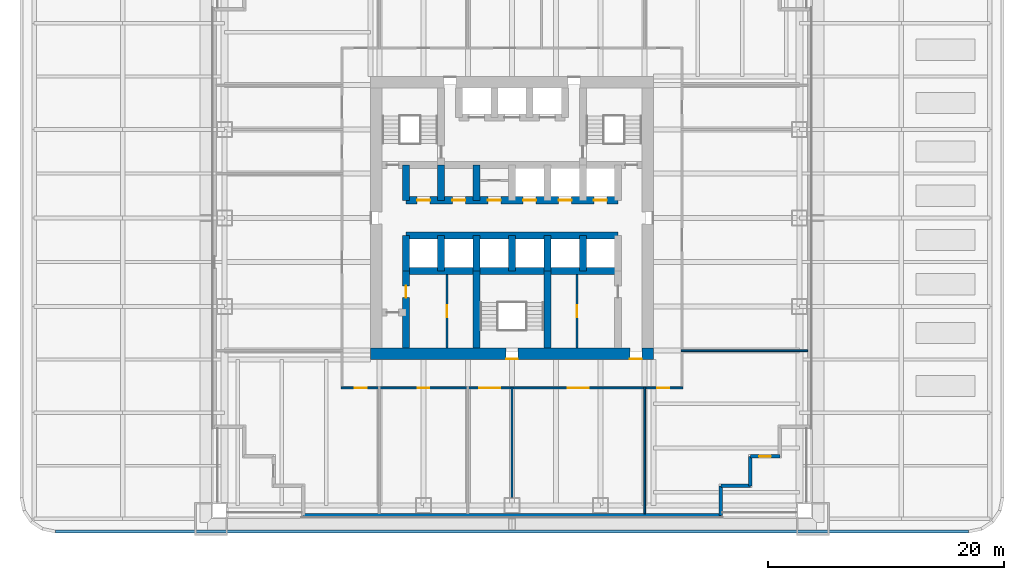
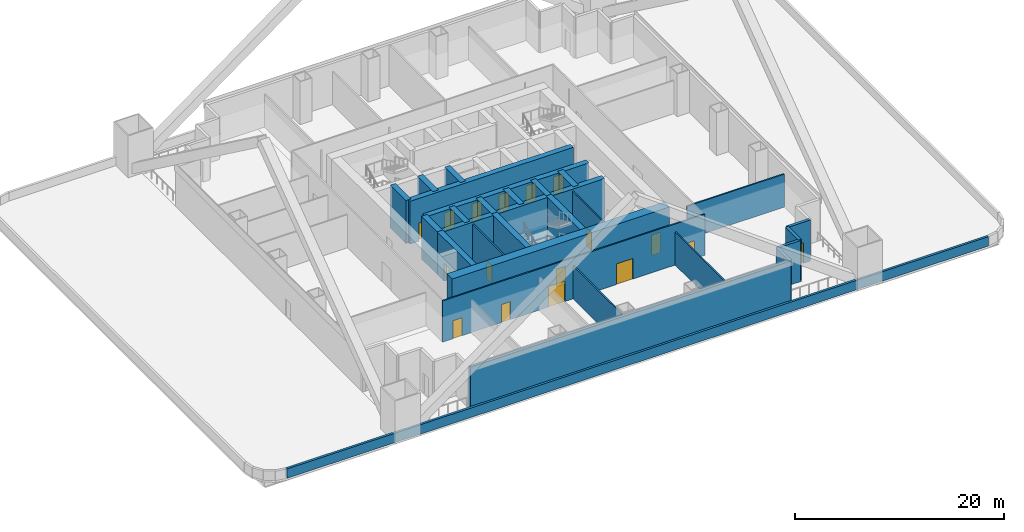
# One storey, part 5 of 10: 28 walls, 17 doors, 17 openings.
"""IFC4 building model written with IfcOpenShell, lengths in metres."""

from ifc_helpers import new_model, si_unit, direction, frame, frame_2d, origin, place, context, subcontext, project, spatial, rectangle, extrude, material, layer, layer_set, type_object, element, fill, save


model = new_model("IFC4")

# Units and contexts
model_context = context("Model", 3, precision=1e-05, world=origin(), true_north=direction((0.0, 1.0)))
body_context = subcontext(model_context, "Body", "Model", "MODEL_VIEW")
ifc_project = project(units=[si_unit("LENGTHUNIT", "METRE"), si_unit("AREAUNIT", "SQUARE_METRE"), si_unit("VOLUMEUNIT", "CUBIC_METRE"), si_unit("PLANEANGLEUNIT", "RADIAN"), si_unit("MASSUNIT", "GRAM", prefix="KILO")], contexts=[model_context])

# Site, building, storey
site_placement = place(None, origin())
site = spatial("IfcSite", under=ifc_project, at=site_placement, CompositionType="ELEMENT")
building_placement = place(site_placement, origin())
building = spatial("IfcBuilding", under=site, at=building_placement, Name="Tarangal Relay Tower", CompositionType="ELEMENT")
storey_placement = place(building_placement, frame((0.0, 0.0, 23.39990234375)))
storey = spatial("IfcBuildingStorey", under=building, at=storey_placement, Name="L04", CompositionType="ELEMENT", Elevation=23.39990234375)

# Wall, openings, doors
ifc_material_1 = material(Name="Concrete fc' 60 MPa", Category="concrete")
ifc_layer_1 = layer(ifc_material_1, 0.60009765625)
ifc_layer_set_1 = layer_set([ifc_layer_1], Name="Core inner wall 600")
wall_type_1 = type_object("IfcWallType", Name="Core inner wall 600", PredefinedType="SHEAR", material=ifc_layer_set_1)
wall_1_placement = place(storey_placement, frame((-9.0, 1.5, 0.0), z_axis=(0.0, 0.0, 1.0), x_axis=(1.0, 0.0, 0.0)))
wall_1 = element("IfcWall", 1, at=wall_1_placement, inside=storey, type_object=wall_type_1, Name="Core wall Y15 L04", PredefinedType="SHEAR", context=body_context, shape_type="SweptSolid", body=[
    extrude(rectangle(XDim=18.0, YDim=0.60009765625, at=frame_2d((9.0, 0.0))), origin(), (0.0, 0.0, 1.0), 5.0),
])
opening_1_placement = place(wall_1_placement, frame((9.949951171875, 0.0, 0.0)))
opening_1 = element("IfcOpeningElement", 2, at=opening_1_placement, cuts=wall_1, Name="Opening LD1", PredefinedType="OPENING", context=body_context, shape_type="SweptSolid", body=[
    extrude(rectangle(XDim=1.10009765625, YDim=2.10009765625, at=frame_2d((0.550048828125, 1.050048828125))), frame((0.0, 0.31005859375, 0.0), z_axis=(0.0, -1.0, 0.0), x_axis=(1.0, 0.0, 0.0)), (0.0, 0.0, 1.0), 0.6201171875),
])
opening_2_placement = place(wall_1_placement, frame((12.949951171875, 0.0, 0.0)))
opening_2 = element("IfcOpeningElement", 3, at=opening_2_placement, cuts=wall_1, Name="Opening LD1", PredefinedType="OPENING", context=body_context, shape_type="SweptSolid", body=[
    extrude(rectangle(XDim=1.10009765625, YDim=2.10009765625, at=frame_2d((0.550048828125, 1.050048828125))), frame((0.0, 0.31005859375, 0.0), z_axis=(0.0, -1.0, 0.0), x_axis=(1.0, 0.0, 0.0)), (0.0, 0.0, 1.0), 0.6201171875),
])
opening_3_placement = place(wall_1_placement, frame((15.949951171875, 0.0, 0.0)))
opening_3 = element("IfcOpeningElement", 4, at=opening_3_placement, cuts=wall_1, Name="Opening LD1", PredefinedType="OPENING", context=body_context, shape_type="SweptSolid", body=[
    extrude(rectangle(XDim=1.10009765625, YDim=2.10009765625, at=frame_2d((0.550048828125, 1.050048828125))), frame((0.0, 0.31005859375, 0.0), z_axis=(0.0, -1.0, 0.0), x_axis=(1.0, 0.0, 0.0)), (0.0, 0.0, 1.0), 0.6201171875),
])
opening_4_placement = place(wall_1_placement, frame((0.949951171875, 0.0, 0.0)))
opening_4 = element("IfcOpeningElement", 5, at=opening_4_placement, cuts=wall_1, Name="Opening D4", PredefinedType="OPENING", context=body_context, shape_type="SweptSolid", body=[
    extrude(rectangle(XDim=1.10009765625, YDim=2.10009765625, at=frame_2d((0.550048828125, 1.050048828125))), frame((0.0, 0.31005859375, 0.0), z_axis=(0.0, -1.0, 0.0), x_axis=(1.0, 0.0, 0.0)), (0.0, 0.0, 1.0), 0.6201171875),
])
opening_5_placement = place(wall_1_placement, frame((3.949951171875, 0.0, 0.0)))
opening_5 = element("IfcOpeningElement", 6, at=opening_5_placement, cuts=wall_1, Name="Opening D4", PredefinedType="OPENING", context=body_context, shape_type="SweptSolid", body=[
    extrude(rectangle(XDim=1.10009765625, YDim=2.10009765625, at=frame_2d((0.550048828125, 1.050048828125))), frame((0.0, 0.31005859375, 0.0), z_axis=(0.0, -1.0, 0.0), x_axis=(1.0, 0.0, 0.0)), (0.0, 0.0, 1.0), 0.6201171875),
])
opening_6_placement = place(wall_1_placement, frame((6.949951171875, 0.0, 0.0)))
opening_6 = element("IfcOpeningElement", 7, at=opening_6_placement, cuts=wall_1, Name="Opening D4", PredefinedType="OPENING", context=body_context, shape_type="SweptSolid", body=[
    extrude(rectangle(XDim=1.10009765625, YDim=2.10009765625, at=frame_2d((0.550048828125, 1.050048828125))), frame((0.0, 0.31005859375, 0.0), z_axis=(0.0, -1.0, 0.0), x_axis=(1.0, 0.0, 0.0)), (0.0, 0.0, 1.0), 0.6201171875),
])
ifc_material_2 = material(Name="Steel door with hardwood frame", Category="steel")
door_type_1 = type_object("IfcDoorType", Name="Core room door 1100 x 2100", OperationType="SINGLE_SWING_RIGHT", PredefinedType="DOOR", material=ifc_material_2)
door_1_placement = place(opening_4_placement, origin())
door_1 = element("IfcDoor", 8, at=door_1_placement, inside=storey, type_object=door_type_1, Name="Door D4 to staff wc L04-D1", OperationType="SINGLE_SWING_RIGHT", OverallHeight=2.10009765625, OverallWidth=1.10009765625, PredefinedType="DOOR", context=body_context, shape_type="SweptSolid", body=[
    extrude(rectangle(XDim=1.10009765625, YDim=2.10009765625, at=frame_2d((0.550048828125, 1.050048828125))), frame((0.0, 0.02490234375, 0.0), z_axis=(0.0, -1.0, 0.0), x_axis=(1.0, 0.0, 0.0)), (0.0, 0.0, 1.0), 0.050048828125),
])
fill(opening_4, door_1)
door_2_placement = place(opening_5_placement, origin())
door_2 = element("IfcDoor", 9, at=door_2_placement, inside=storey, type_object=door_type_1, Name="Door D4 to cleaner's store L04-D2", OperationType="SINGLE_SWING_RIGHT", OverallHeight=2.10009765625, OverallWidth=1.10009765625, PredefinedType="DOOR", context=body_context, shape_type="SweptSolid", body=[
    extrude(rectangle(XDim=1.10009765625, YDim=2.10009765625, at=frame_2d((0.550048828125, 1.050048828125))), frame((0.0, 0.02490234375, 0.0), z_axis=(0.0, -1.0, 0.0), x_axis=(1.0, 0.0, 0.0)), (0.0, 0.0, 1.0), 0.050048828125),
])
fill(opening_5, door_2)
door_3_placement = place(opening_6_placement, origin())
door_3 = element("IfcDoor", 10, at=door_3_placement, inside=storey, type_object=door_type_1, Name="Door D4 to it room L04-D3", OperationType="SINGLE_SWING_RIGHT", OverallHeight=2.10009765625, OverallWidth=1.10009765625, PredefinedType="DOOR", context=body_context, shape_type="SweptSolid", body=[
    extrude(rectangle(XDim=1.10009765625, YDim=2.10009765625, at=frame_2d((0.550048828125, 1.050048828125))), frame((0.0, 0.02490234375, 0.0), z_axis=(0.0, -1.0, 0.0), x_axis=(1.0, 0.0, 0.0)), (0.0, 0.0, 1.0), 0.050048828125),
])
fill(opening_6, door_3)
door_type_2 = type_object("IfcDoorType", Name="Lift landing door 1100 x 2100", OperationType="SLIDING_TO_LEFT", PredefinedType="DOOR", material=ifc_material_2)
door_4_placement = place(opening_1_placement, origin())
door_4 = element("IfcDoor", 11, at=door_4_placement, inside=storey, type_object=door_type_2, Name="Lift T1 landing door L04", OperationType="SLIDING_TO_LEFT", OverallHeight=2.10009765625, OverallWidth=1.10009765625, PredefinedType="DOOR", context=body_context, shape_type="SweptSolid", body=[
    extrude(rectangle(XDim=1.10009765625, YDim=2.10009765625, at=frame_2d((0.550048828125, 1.050048828125))), frame((0.0, 0.02490234375, 0.0), z_axis=(0.0, -1.0, 0.0), x_axis=(1.0, 0.0, 0.0)), (0.0, 0.0, 1.0), 0.050048828125),
])
fill(opening_1, door_4)
door_5_placement = place(opening_2_placement, origin())
door_5 = element("IfcDoor", 12, at=door_5_placement, inside=storey, type_object=door_type_2, Name="Lift T2 landing door L04", OperationType="SLIDING_TO_LEFT", OverallHeight=2.10009765625, OverallWidth=1.10009765625, PredefinedType="DOOR", context=body_context, shape_type="SweptSolid", body=[
    extrude(rectangle(XDim=1.10009765625, YDim=2.10009765625, at=frame_2d((0.550048828125, 1.050048828125))), frame((0.0, 0.02490234375, 0.0), z_axis=(0.0, -1.0, 0.0), x_axis=(1.0, 0.0, 0.0)), (0.0, 0.0, 1.0), 0.050048828125),
])
fill(opening_2, door_5)
door_6_placement = place(opening_3_placement, origin())
door_6 = element("IfcDoor", 13, at=door_6_placement, inside=storey, type_object=door_type_2, Name="Lift T3 landing door L04", OperationType="SLIDING_TO_LEFT", OverallHeight=2.10009765625, OverallWidth=1.10009765625, PredefinedType="DOOR", context=body_context, shape_type="SweptSolid", body=[
    extrude(rectangle(XDim=1.10009765625, YDim=2.10009765625, at=frame_2d((0.550048828125, 1.050048828125))), frame((0.0, 0.02490234375, 0.0), z_axis=(0.0, -1.0, 0.0), x_axis=(1.0, 0.0, 0.0)), (0.0, 0.0, 1.0), 0.050048828125),
])
fill(opening_3, door_6)

# Walls
for number, where, z_axis, x_axis, name in (
    (14, (-9.0, -1.5, 0.0), (0.0, 0.0, 1.0), (1.0, 0.0, 0.0), "Core wall YM15 L04"),
    (15, (-9.0, -4.5, 0.0), (0.0, 0.0, 1.0), (1.0, 0.0, 0.0), "Core wall YM45 L04"),
):
    element("IfcWall", number, at=place(storey_placement, frame(where, z_axis=z_axis, x_axis=x_axis)), inside=storey, type_object=wall_type_1, Name=name, PredefinedType="SHEAR", context=body_context, shape_type="SweptSolid", body=[
        extrude(rectangle(XDim=18.0, YDim=0.60009765625, at=frame_2d((9.0, 0.0))), origin(), (0.0, 0.0, 1.0), 5.0),
    ])
for number, where, z_axis, x_axis, name in (
    (16, (-9.0, 1.5, 0.0), (0.0, 0.0, 1.0), (0.0, 1.0, 0.0), "Core wall XM9N L04"),
    (17, (-9.0, -4.5, 0.0), (0.0, 0.0, 1.0), (0.0, 1.0, 0.0), "Core wall XM9S L04"),
    (18, (-6.0, 1.5, 0.0), (0.0, 0.0, 1.0), (0.0, 1.0, 0.0), "Core wall XM6N L04"),
    (19, (-3.0, 1.5, 0.0), (0.0, 0.0, 1.0), (0.0, 1.0, 0.0), "Core wall XM3N L04"),
    (20, (-6.0, -4.5, 0.0), (0.0, 0.0, 1.0), (0.0, 1.0, 0.0), "Core wall XM6S L04"),
    (21, (-3.0, -4.5, 0.0), (0.0, 0.0, 1.0), (0.0, 1.0, 0.0), "Core wall XM3S L04"),
    (22, (0.0, -4.5, 0.0), (0.0, 0.0, 1.0), (0.0, 1.0, 0.0), "Core wall X0S L04"),
    (23, (3.0, -4.5, 0.0), (0.0, 0.0, 1.0), (0.0, 1.0, 0.0), "Core wall X3S L04"),
    (24, (6.0, -4.5, 0.0), (0.0, 0.0, 1.0), (0.0, 1.0, 0.0), "Core wall X6S L04"),
):
    element("IfcWall", number, at=place(storey_placement, frame(where, z_axis=z_axis, x_axis=x_axis)), inside=storey, type_object=wall_type_1, Name=name, PredefinedType="SHEAR", context=body_context, shape_type="SweptSolid", body=[
        extrude(rectangle(XDim=3.0, YDim=0.60009765625, at=frame_2d((1.5, 0.0))), origin(), (0.0, 0.0, 1.0), 5.0),
    ])

# Wall, opening, door
wall_2_placement = place(storey_placement, frame((-9.0, -11.0, 0.0), z_axis=(0.0, 0.0, 1.0), x_axis=(0.0, 1.0, 0.0)))
wall_2 = element("IfcWall", 25, at=wall_2_placement, inside=storey, type_object=wall_type_1, Name="Core wall XM9W L04", PredefinedType="SHEAR", context=body_context, shape_type="SweptSolid", body=[
    extrude(rectangle(XDim=6.5, YDim=0.60009765625, at=frame_2d((3.25, 0.0))), origin(), (0.0, 0.0, 1.0), 5.0),
])
opening_7_placement = place(wall_2_placement, frame((4.25, 0.0, 0.0)))
opening_7 = element("IfcOpeningElement", 26, at=opening_7_placement, cuts=wall_2, Name="Opening D1", PredefinedType="OPENING", context=body_context, shape_type="SweptSolid", body=[
    extrude(rectangle(XDim=1.0, YDim=2.10009765625, at=frame_2d((0.5, 1.050048828125))), frame((0.0, 0.31005859375, 0.0), z_axis=(0.0, -1.0, 0.0), x_axis=(1.0, 0.0, 0.0)), (0.0, 0.0, 1.0), 0.6201171875),
])
ifc_material_3 = material(Name="Hardwood door", Category="wood")
door_type_3 = type_object("IfcDoorType", Name="WC door 1000 x 2100", OperationType="SINGLE_SWING_LEFT", PredefinedType="DOOR", material=ifc_material_3)
door_7_placement = place(opening_7_placement, origin())
door_7 = element("IfcDoor", 27, at=door_7_placement, inside=storey, type_object=door_type_3, Name="Male WC door L04", OperationType="SINGLE_SWING_LEFT", OverallHeight=2.10009765625, OverallWidth=1.0, PredefinedType="DOOR", context=body_context, shape_type="SweptSolid", body=[
    extrude(rectangle(XDim=1.0, YDim=2.10009765625, at=frame_2d((0.5, 1.050048828125))), frame((0.0, 0.02490234375, 0.0), z_axis=(0.0, -1.0, 0.0), x_axis=(1.0, 0.0, 0.0)), (0.0, 0.0, 1.0), 0.050048828125),
])
fill(opening_7, door_7)

# Walls
for number, where, z_axis, x_axis, name in (
    (28, (-3.0, -11.0, 0.0), (0.0, 0.0, 1.0), (0.0, 1.0, 0.0), "Core wall XM3W L04"),
    (29, (3.0, -11.0, 0.0), (0.0, 0.0, 1.0), (0.0, 1.0, 0.0), "Core wall X3W L04"),
):
    element("IfcWall", number, at=place(storey_placement, frame(where, z_axis=z_axis, x_axis=x_axis)), inside=storey, type_object=wall_type_1, Name=name, PredefinedType="SHEAR", context=body_context, shape_type="SweptSolid", body=[
        extrude(rectangle(XDim=6.5, YDim=0.60009765625, at=frame_2d((3.25, 0.0))), origin(), (0.0, 0.0, 1.0), 5.0),
    ])

# Wall, openings, doors
ifc_layer_2 = layer(ifc_material_1, 1.0)
ifc_layer_set_2 = layer_set([ifc_layer_2], Name="Core wall 1000")
wall_type_2 = type_object("IfcWallType", Name="Core wall 1000", PredefinedType="SHEAR", material=ifc_layer_set_2)
wall_3_placement = place(storey_placement, frame((12.0, -11.5, 0.0), z_axis=(0.0, 0.0, 1.0), x_axis=(-1.0, 0.0, 0.0)))
wall_3 = element("IfcWall", 30, at=wall_3_placement, inside=storey, type_object=wall_type_2, Name="Core wall S L04", PredefinedType="SHEAR", context=body_context, shape_type="SweptSolid", body=[
    extrude(rectangle(XDim=24.0, YDim=1.0, at=frame_2d((12.0, 0.0))), origin(), (0.0, 0.0, 1.0), 5.0),
])
opening_8_placement = place(wall_3_placement, frame((11.5, 0.0, 0.0)))
opening_8 = element("IfcOpeningElement", 31, at=opening_8_placement, cuts=wall_3, Name="Opening FD1", PredefinedType="OPENING", context=body_context, shape_type="SweptSolid", body=[
    extrude(rectangle(XDim=1.0, YDim=2.10009765625, at=frame_2d((0.5, 1.050048828125))), frame((0.0, 0.510009765625, 0.0), z_axis=(0.0, -1.0, 0.0), x_axis=(1.0, 0.0, 0.0)), (0.0, 0.0, 1.0), 1.02001953125),
])
opening_9_placement = place(wall_3_placement, frame((1.0, 0.0, 0.0)))
opening_9 = element("IfcOpeningElement", 32, at=opening_9_placement, cuts=wall_3, Name="Opening FD3", PredefinedType="OPENING", context=body_context, shape_type="SweptSolid", body=[
    extrude(rectangle(XDim=1.0, YDim=2.39990234375, at=frame_2d((0.5, 1.199951171875))), frame((0.0, 0.510009765625, 0.0), z_axis=(0.0, -1.0, 0.0), x_axis=(1.0, 0.0, 0.0)), (0.0, 0.0, 1.0), 1.02001953125),
])
door_type_4 = type_object("IfcDoorType", Name="Fire door 1000 x 2100", OperationType="SINGLE_SWING_LEFT", PredefinedType="DOOR", material=ifc_material_2)
door_8_placement = place(opening_8_placement, origin())
door_8 = element("IfcDoor", 33, at=door_8_placement, inside=storey, type_object=door_type_4, Name="Stair ST-C door L04", OperationType="SINGLE_SWING_LEFT", OverallHeight=2.10009765625, OverallWidth=1.0, PredefinedType="DOOR", context=body_context, shape_type="SweptSolid", body=[
    extrude(rectangle(XDim=1.0, YDim=2.10009765625, at=frame_2d((0.5, 1.050048828125))), frame((0.0, 0.48486328125, 0.0), z_axis=(0.0, -1.0, 0.0), x_axis=(1.0, 0.0, 0.0)), (0.0, 0.0, 1.0), 0.050048828125),
])
fill(opening_8, door_8)
door_type_5 = type_object("IfcDoorType", Name="Fire door 1000 x 2400 core entry", OperationType="SINGLE_SWING_RIGHT", PredefinedType="DOOR", material=ifc_material_2)
door_9_placement = place(opening_9_placement, origin())
door_9 = element("IfcDoor", 34, at=door_9_placement, inside=storey, type_object=door_type_5, Name="Core entry door south east L04", OperationType="SINGLE_SWING_RIGHT", OverallHeight=2.39990234375, OverallWidth=1.0, PredefinedType="DOOR", context=body_context, shape_type="SweptSolid", body=[
    extrude(rectangle(XDim=1.0, YDim=2.39990234375, at=frame_2d((0.5, 1.199951171875))), frame((0.0, 0.48486328125, 0.0), z_axis=(0.0, -1.0, 0.0), x_axis=(1.0, 0.0, 0.0)), (0.0, 0.0, 1.0), 0.050048828125),
])
fill(opening_9, door_9)

# Wall, opening, door
ifc_material_4 = material(Name="Insulated precast concrete fc' 40 MPa", Category="concrete")
ifc_layer_3 = layer(ifc_material_4, 0.300048828125)
ifc_layer_set_3 = layer_set([ifc_layer_3], Name="Insulated precast concrete fc' 40 MPa")
wall_type_3 = type_object("IfcWallType", Name="Facade wall precast 300", PredefinedType="SOLIDWALL", material=ifc_layer_set_3)
wall_4_placement = place(storey_placement, frame((22.699951171875, -20.199951171875, 0.0), z_axis=(0.0, 0.0, 1.0), x_axis=(-1.0, 0.0, 0.0)))
wall_4 = element("IfcWall", 35, at=wall_4_placement, inside=storey, type_object=wall_type_3, Name="Facade wall E facade L04", PredefinedType="SOLIDWALL", context=body_context, shape_type="SweptSolid", body=[
    extrude(rectangle(XDim=2.5, YDim=0.300048828125, at=frame_2d((1.25, 0.0))), origin(), (0.0, 0.0, 1.0), 4.800048828125),
])
opening_10_placement = place(wall_4_placement, frame((0.75, 0.0, 0.0)))
opening_10 = element("IfcOpeningElement", 36, at=opening_10_placement, cuts=wall_4, Name="Opening TD1", PredefinedType="OPENING", context=body_context, shape_type="SweptSolid", body=[
    extrude(rectangle(XDim=1.0, YDim=2.39990234375, at=frame_2d((0.5, 1.199951171875))), frame((0.0, 0.159912109375, 0.0), z_axis=(0.0, -1.0, 0.0), x_axis=(1.0, 0.0, 0.0)), (0.0, 0.0, 1.0), 0.320068359375),
])
ifc_material_5 = material(Name="Aluminium glazed door", Category="aluminium")
door_type_6 = type_object("IfcDoorType", Name="Terrace door 1000 x 2400", OperationType="SINGLE_SWING_RIGHT", PredefinedType="DOOR", material=ifc_material_5)
door_10_placement = place(opening_10_placement, origin())
door_10 = element("IfcDoor", 37, at=door_10_placement, inside=storey, type_object=door_type_6, Name="Terrace door TD1 SE L04", OperationType="SINGLE_SWING_RIGHT", OverallHeight=2.39990234375, OverallWidth=1.0, PredefinedType="DOOR", context=body_context, shape_type="SweptSolid", body=[
    extrude(rectangle(XDim=1.0, YDim=2.39990234375, at=frame_2d((0.5, 1.199951171875))), frame((0.0, 0.02490234375, 0.0), z_axis=(0.0, -1.0, 0.0), x_axis=(1.0, 0.0, 0.0)), (0.0, 0.0, 1.0), 0.050048828125),
])
fill(opening_10, door_10)

# Walls
for number, where, z_axis, x_axis, name in (
    (38, (20.199951171875, -20.199951171875, 0.0), (0.0, 0.0, 1.0), (0.0, -1.0, 0.0), "Facade wall E facade L04"),
    (39, (20.199951171875, -22.699951171875, 0.0), (0.0, 0.0, 1.0), (-1.0, 0.0, 0.0), "Facade wall E facade L04"),
    (40, (17.699951171875, -22.699951171875, 0.0), (0.0, 0.0, 1.0), (0.0, -1.0, 0.0), "Facade wall E facade L04"),
):
    element("IfcWall", number, at=place(storey_placement, frame(where, z_axis=z_axis, x_axis=x_axis)), inside=storey, type_object=wall_type_3, Name=name, PredefinedType="SOLIDWALL", context=body_context, shape_type="SweptSolid", body=[
        extrude(rectangle(XDim=2.5, YDim=0.300048828125, at=frame_2d((1.25, 0.0))), origin(), (0.0, 0.0, 1.0), 4.800048828125),
    ])
wall_5_placement = place(storey_placement, frame((17.699951171875, -25.199951171875, 0.0), z_axis=(0.0, 0.0, 1.0), x_axis=(-1.0, 0.0, 0.0)))
element("IfcWall", 41, at=wall_5_placement, inside=storey, type_object=wall_type_3, Name="Facade wall S facade L04", PredefinedType="SOLIDWALL", context=body_context, shape_type="SweptSolid", body=[
    extrude(rectangle(XDim=35.39990234375, YDim=0.300048828125, at=frame_2d((17.699951171875, 0.0))), origin(), (0.0, 0.0, 1.0), 4.800048828125),
])
ifc_material_6 = material(Name="Concrete parapet with metal coping", Category="concrete")
ifc_layer_4 = layer(ifc_material_6, 0.25)
ifc_layer_set_4 = layer_set([ifc_layer_4], Name="Parapet 250")
wall_type_4 = type_object("IfcWallType", Name="Parapet 250", PredefinedType="PARAPET", material=ifc_layer_set_4)
wall_6_placement = place(storey_placement, frame((-38.699951171875, -26.574951171875, 0.0), z_axis=(0.0, 0.0, 1.0), x_axis=(1.0, 0.0, 0.0)))
element("IfcWall", 42, at=wall_6_placement, inside=storey, type_object=wall_type_4, Name="Podium roof parapet PP1", PredefinedType="PARAPET", context=body_context, shape_type="SweptSolid", body=[
    extrude(rectangle(XDim=77.39990234375, YDim=0.25, at=frame_2d((38.699951171875, 0.0))), origin(), (0.0, 0.0, 1.0), 1.10009765625),
])

# Wall, openings, doors
ifc_material_7 = material(Name="Gypsum board on steel studs", Category="steel")
ifc_layer_5 = layer(ifc_material_7, 0.14990234375)
ifc_layer_set_5 = layer_set([ifc_layer_5], Name="Partition 150")
wall_type_5 = type_object("IfcWallType", Name="Partition 150", PredefinedType="PARTITIONING", material=ifc_layer_set_5)
wall_7_placement = place(storey_placement, frame((-14.47509765625, -14.39990234375, 0.0), z_axis=(0.0, 0.0, 1.0), x_axis=(1.0, 0.0, 0.0)))
wall_7 = element("IfcWall", 43, at=wall_7_placement, inside=storey, type_object=wall_type_5, Name="Partition PT1 L04", PredefinedType="PARTITIONING", context=body_context, shape_type="SweptSolid", body=[
    extrude(rectangle(XDim=28.9501953125, YDim=0.14990234375, at=frame_2d((14.47509765625, 0.0))), origin(), (0.0, 0.0, 1.0), 4.800048828125),
])
opening_11_placement = place(wall_7_placement, frame((19.199951171875, 0.0, 0.0)))
opening_11 = element("IfcOpeningElement", 44, at=opening_11_placement, cuts=wall_7, Name="Opening DD1", PredefinedType="OPENING", context=body_context, shape_type="SweptSolid", body=[
    extrude(rectangle(XDim=1.800048828125, YDim=2.39990234375, at=frame_2d((0.89990234375, 1.199951171875))), frame((0.0, 0.0849609375, 0.0), z_axis=(0.0, -1.0, 0.0), x_axis=(1.0, 0.0, 0.0)), (0.0, 0.0, 1.0), 0.169921875),
])
opening_12_placement = place(wall_7_placement, frame((11.699951171875, 0.0, 0.0)))
opening_12 = element("IfcOpeningElement", 45, at=opening_12_placement, cuts=wall_7, Name="Opening DD1", PredefinedType="OPENING", context=body_context, shape_type="SweptSolid", body=[
    extrude(rectangle(XDim=1.800048828125, YDim=2.39990234375, at=frame_2d((0.89990234375, 1.199951171875))), frame((0.0, 0.0849609375, 0.0), z_axis=(0.0, -1.0, 0.0), x_axis=(1.0, 0.0, 0.0)), (0.0, 0.0, 1.0), 0.169921875),
])
opening_13_placement = place(wall_7_placement, frame((6.47509765625, 0.0, 0.0)))
opening_13 = element("IfcOpeningElement", 46, at=opening_13_placement, cuts=wall_7, Name="Opening D2", PredefinedType="OPENING", context=body_context, shape_type="SweptSolid", body=[
    extrude(rectangle(XDim=1.0, YDim=2.10009765625, at=frame_2d((0.5, 1.050048828125))), frame((0.0, 0.0849609375, 0.0), z_axis=(0.0, -1.0, 0.0), x_axis=(1.0, 0.0, 0.0)), (0.0, 0.0, 1.0), 0.169921875),
])
opening_14_placement = place(wall_7_placement, frame((26.800048828125, 0.0, 0.0)))
opening_14 = element("IfcOpeningElement", 47, at=opening_14_placement, cuts=wall_7, Name="Opening D2", PredefinedType="OPENING", context=body_context, shape_type="SweptSolid", body=[
    extrude(rectangle(XDim=1.0, YDim=2.10009765625, at=frame_2d((0.5, 1.050048828125))), frame((0.0, 0.0849609375, 0.0), z_axis=(0.0, -1.0, 0.0), x_axis=(1.0, 0.0, 0.0)), (0.0, 0.0, 1.0), 0.169921875),
])
opening_15_placement = place(wall_7_placement, frame((1.14990234375, 0.0, 0.0)))
opening_15 = element("IfcOpeningElement", 48, at=opening_15_placement, cuts=wall_7, Name="Opening D2", PredefinedType="OPENING", context=body_context, shape_type="SweptSolid", body=[
    extrude(rectangle(XDim=1.0, YDim=2.10009765625, at=frame_2d((0.5, 1.050048828125))), frame((0.0, 0.0849609375, 0.0), z_axis=(0.0, -1.0, 0.0), x_axis=(1.0, 0.0, 0.0)), (0.0, 0.0, 1.0), 0.169921875),
])
door_type_7 = type_object("IfcDoorType", Name="Door 1000 x 2100", OperationType="SINGLE_SWING_LEFT", PredefinedType="DOOR", material=ifc_material_3)
door_11_placement = place(opening_13_placement, origin())
door_11 = element("IfcDoor", 49, at=door_11_placement, inside=storey, type_object=door_type_7, Name="Door D2 to rack unpacking room L04-09", OperationType="SINGLE_SWING_LEFT", OverallHeight=2.10009765625, OverallWidth=1.0, PredefinedType="DOOR", context=body_context, shape_type="SweptSolid", body=[
    extrude(rectangle(XDim=1.0, YDim=2.10009765625, at=frame_2d((0.5, 1.050048828125))), frame((0.0, 0.02490234375, 0.0), z_axis=(0.0, -1.0, 0.0), x_axis=(1.0, 0.0, 0.0)), (0.0, 0.0, 1.0), 0.050048828125),
])
fill(opening_13, door_11)
door_12_placement = place(opening_14_placement, origin())
door_12 = element("IfcDoor", 50, at=door_12_placement, inside=storey, type_object=door_type_7, Name="Door D2 to security office L04-14", OperationType="SINGLE_SWING_LEFT", OverallHeight=2.10009765625, OverallWidth=1.0, PredefinedType="DOOR", context=body_context, shape_type="SweptSolid", body=[
    extrude(rectangle(XDim=1.0, YDim=2.10009765625, at=frame_2d((0.5, 1.050048828125))), frame((0.0, 0.02490234375, 0.0), z_axis=(0.0, -1.0, 0.0), x_axis=(1.0, 0.0, 0.0)), (0.0, 0.0, 1.0), 0.050048828125),
])
fill(opening_14, door_12)
door_13_placement = place(opening_15_placement, origin())
door_13 = element("IfcDoor", 51, at=door_13_placement, inside=storey, type_object=door_type_7, Name="Door D2 to maintenance workshop L04-15", OperationType="SINGLE_SWING_LEFT", OverallHeight=2.10009765625, OverallWidth=1.0, PredefinedType="DOOR", context=body_context, shape_type="SweptSolid", body=[
    extrude(rectangle(XDim=1.0, YDim=2.10009765625, at=frame_2d((0.5, 1.050048828125))), frame((0.0, 0.02490234375, 0.0), z_axis=(0.0, -1.0, 0.0), x_axis=(1.0, 0.0, 0.0)), (0.0, 0.0, 1.0), 0.050048828125),
])
fill(opening_15, door_13)
door_type_8 = type_object("IfcDoorType", Name="Equipment double door 1800 x 2400", OperationType="DOUBLE_DOOR_SINGLE_SWING", PredefinedType="DOOR", material=ifc_material_2)
door_14_placement = place(opening_11_placement, origin())
door_14 = element("IfcDoor", 52, at=door_14_placement, inside=storey, type_object=door_type_8, Name="Door DD1 to electrical room L04-07", OperationType="DOUBLE_DOOR_SINGLE_SWING", OverallHeight=2.39990234375, OverallWidth=1.800048828125, PredefinedType="DOOR", context=body_context, shape_type="SweptSolid", body=[
    extrude(rectangle(XDim=1.800048828125, YDim=2.39990234375, at=frame_2d((0.89990234375, 1.199951171875))), frame((0.0, 0.02490234375, 0.0), z_axis=(0.0, -1.0, 0.0), x_axis=(1.0, 0.0, 0.0)), (0.0, 0.0, 1.0), 0.050048828125),
])
fill(opening_11, door_14)
door_15_placement = place(opening_12_placement, origin())
door_15 = element("IfcDoor", 53, at=door_15_placement, inside=storey, type_object=door_type_8, Name="Door DD1 to network equipment room L04-08", OperationType="DOUBLE_DOOR_SINGLE_SWING", OverallHeight=2.39990234375, OverallWidth=1.800048828125, PredefinedType="DOOR", context=body_context, shape_type="SweptSolid", body=[
    extrude(rectangle(XDim=1.800048828125, YDim=2.39990234375, at=frame_2d((0.89990234375, 1.199951171875))), frame((0.0, 0.02490234375, 0.0), z_axis=(0.0, -1.0, 0.0), x_axis=(1.0, 0.0, 0.0)), (0.0, 0.0, 1.0), 0.050048828125),
])
fill(opening_12, door_15)

# Walls
wall_8_placement = place(storey_placement, frame((14.324951171875, -11.25, 0.0), z_axis=(0.0, 0.0, 1.0), x_axis=(1.0, 0.0, 0.0)))
element("IfcWall", 54, at=wall_8_placement, inside=storey, type_object=wall_type_5, Name="Partition PT1 L04", PredefinedType="PARTITIONING", context=body_context, shape_type="SweptSolid", body=[
    extrude(rectangle(XDim=10.72509765625, YDim=0.14990234375, at=frame_2d((5.362548828125, 0.0))), origin(), (0.0, 0.0, 1.0), 3.852783203125),
])
wall_9_placement = place(storey_placement, frame((0.0, -23.68994140625, 0.0), z_axis=(0.0, 0.0, 1.0), x_axis=(0.0, 1.0, 0.0)))
element("IfcWall", 55, at=wall_9_placement, inside=storey, type_object=wall_type_5, Name="Partition PT1 L04", PredefinedType="PARTITIONING", context=body_context, shape_type="SweptSolid", body=[
    extrude(rectangle(XDim=9.364990234375, YDim=0.14990234375, at=frame_2d((4.6826171875, 0.0))), origin(), (0.0, 0.0, 1.0), 3.852783203125),
])
wall_10_placement = place(storey_placement, frame((11.25, -25.050048828125, 0.0), z_axis=(0.0, 0.0, 1.0), x_axis=(0.0, 1.0, 0.0)))
element("IfcWall", 56, at=wall_10_placement, inside=storey, type_object=wall_type_5, Name="Partition PT1 L04", PredefinedType="PARTITIONING", context=body_context, shape_type="SweptSolid", body=[
    extrude(rectangle(XDim=10.72509765625, YDim=0.14990234375, at=frame_2d((5.362548828125, 0.0))), origin(), (0.0, 0.0, 1.0), 3.852783203125),
])

# Wall, opening, door
wall_11_placement = place(storey_placement, frame((-5.5, -11.0, 0.0), z_axis=(0.0, 0.0, 1.0), x_axis=(0.0, 1.0, 0.0)))
wall_11 = element("IfcWall", 57, at=wall_11_placement, inside=storey, type_object=wall_type_5, Name="Partition PT1 L04", PredefinedType="PARTITIONING", context=body_context, shape_type="SweptSolid", body=[
    extrude(rectangle(XDim=6.199951171875, YDim=0.14990234375, at=frame_2d((3.10009765625, 0.0))), origin(), (0.0, 0.0, 1.0), 4.75),
])
opening_16_placement = place(wall_11_placement, frame((2.60009765625, 0.0, 0.0)))
opening_16 = element("IfcOpeningElement", 58, at=opening_16_placement, cuts=wall_11, Name="Opening D1", PredefinedType="OPENING", context=body_context, shape_type="SweptSolid", body=[
    extrude(rectangle(XDim=1.0, YDim=2.10009765625, at=frame_2d((0.5, 1.050048828125))), frame((0.0, 0.0849609375, 0.0), z_axis=(0.0, -1.0, 0.0), x_axis=(1.0, 0.0, 0.0)), (0.0, 0.0, 1.0), 0.169921875),
])
door_16_placement = place(opening_16_placement, origin())
door_16 = element("IfcDoor", 59, at=door_16_placement, inside=storey, type_object=door_type_3, Name="Door D1 to male shower and changing room L04-C7B", OperationType="SINGLE_SWING_LEFT", OverallHeight=2.10009765625, OverallWidth=1.0, PredefinedType="DOOR", context=body_context, shape_type="SweptSolid", body=[
    extrude(rectangle(XDim=1.0, YDim=2.10009765625, at=frame_2d((0.5, 1.050048828125))), frame((0.0, 0.02490234375, 0.0), z_axis=(0.0, -1.0, 0.0), x_axis=(1.0, 0.0, 0.0)), (0.0, 0.0, 1.0), 0.050048828125),
])
fill(opening_16, door_16)

wall_12_placement = place(storey_placement, frame((5.5, -11.0, 0.0), z_axis=(0.0, 0.0, 1.0), x_axis=(0.0, 1.0, 0.0)))
wall_12 = element("IfcWall", 60, at=wall_12_placement, inside=storey, type_object=wall_type_5, Name="Partition PT1 L04", PredefinedType="PARTITIONING", context=body_context, shape_type="SweptSolid", body=[
    extrude(rectangle(XDim=6.199951171875, YDim=0.14990234375, at=frame_2d((3.10009765625, 0.0))), origin(), (0.0, 0.0, 1.0), 4.75),
])
opening_17_placement = place(wall_12_placement, frame((2.60009765625, 0.0, 0.0)))
opening_17 = element("IfcOpeningElement", 61, at=opening_17_placement, cuts=wall_12, Name="Opening D1", PredefinedType="OPENING", context=body_context, shape_type="SweptSolid", body=[
    extrude(rectangle(XDim=1.0, YDim=2.10009765625, at=frame_2d((0.5, 1.050048828125))), frame((0.0, 0.0849609375, 0.0), z_axis=(0.0, -1.0, 0.0), x_axis=(1.0, 0.0, 0.0)), (0.0, 0.0, 1.0), 0.169921875),
])
door_17_placement = place(opening_17_placement, origin())
door_17 = element("IfcDoor", 62, at=door_17_placement, inside=storey, type_object=door_type_3, Name="Door D1 to female shower and changing room L04-C10B", OperationType="SINGLE_SWING_LEFT", OverallHeight=2.10009765625, OverallWidth=1.0, PredefinedType="DOOR", context=body_context, shape_type="SweptSolid", body=[
    extrude(rectangle(XDim=1.0, YDim=2.10009765625, at=frame_2d((0.5, 1.050048828125))), frame((0.0, 0.02490234375, 0.0), z_axis=(0.0, -1.0, 0.0), x_axis=(1.0, 0.0, 0.0)), (0.0, 0.0, 1.0), 0.050048828125),
])
fill(opening_17, door_17)

save(model, "model.ifc")
